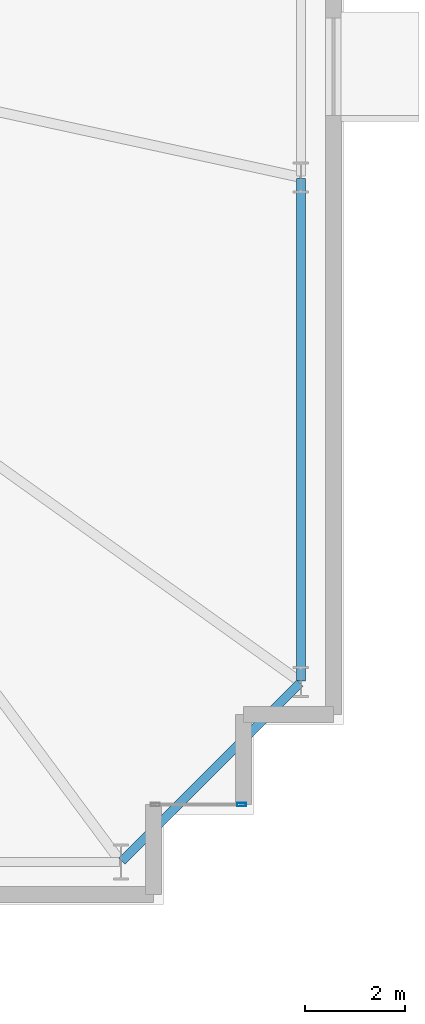
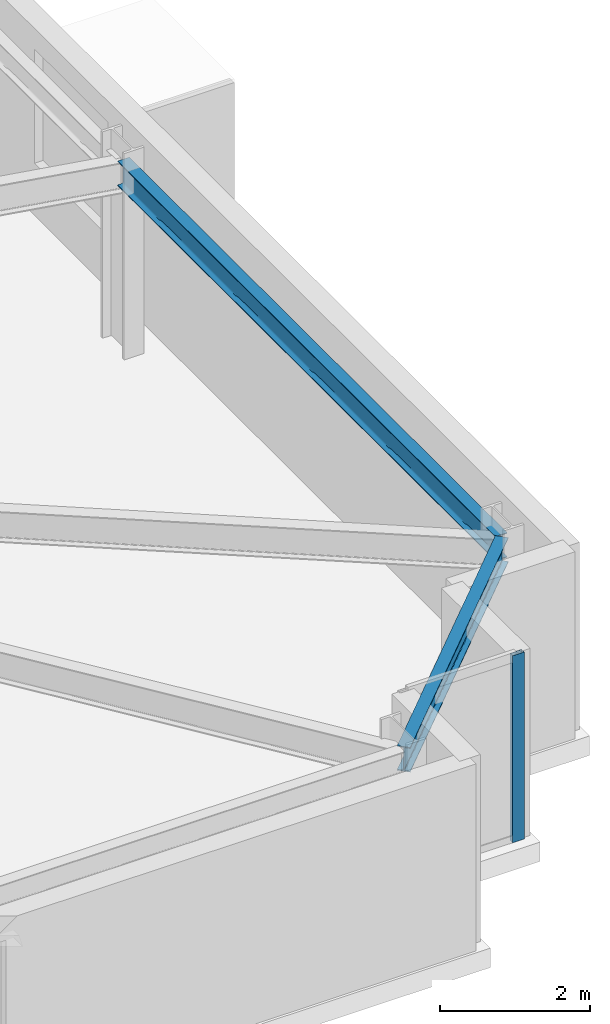
# One storey, part 10 of 21: 2 beams, 1 member, 1 element without a shape of its own.
"""IFC4 building model written with IfcOpenShell, lengths in metres."""

from ifc_helpers import new_model, si_unit, direction, frame, origin, origin_2d, place, context, subcontext, project, spatial, hollow_rectangle, i_section, extrude, material, layer, layer_set, material_profile, profile_set, type_object, element, aggregate, save


model = new_model("IFC4")

# Units and contexts
model_context = context("Model", 3, precision=1e-05, world=origin(), true_north=direction((0.0, 1.0)))
body_context = subcontext(model_context, "Body", "Model", "MODEL_VIEW")
ifc_project = project(units=[si_unit("LENGTHUNIT", "METRE"), si_unit("AREAUNIT", "SQUARE_METRE"), si_unit("VOLUMEUNIT", "CUBIC_METRE"), si_unit("PLANEANGLEUNIT", "RADIAN"), si_unit("MASSUNIT", "GRAM", prefix="KILO")], contexts=[model_context])

# Site, building, storey
site_placement = place(None, origin())
site = spatial("IfcSite", under=ifc_project, at=site_placement, CompositionType="ELEMENT")
building_placement = place(site_placement, origin())
building = spatial("IfcBuilding", under=site, at=building_placement, Name="Qobustan Lattice House", CompositionType="ELEMENT")
storey_placement = place(building_placement, frame((0.0, 0.0, 57.14990234375)))
storey = spatial("IfcBuildingStorey", under=building, at=storey_placement, Name="L15", CompositionType="ELEMENT", Elevation=57.14990234375)

# Beams
ifc_material_1 = material(Name="Steel S355", Category="steel")
ifc_material_profile_1 = material_profile(ifc_material_1, i_section(OverallWidth=0.179931640625, OverallDepth=0.39990234375, WebThickness=0.008544921875, FlangeThickness=0.013427734375, FilletRadius=0.02099609375, at=origin_2d()), Name="IPE400")
ifc_profile_set_1 = profile_set([ifc_material_profile_1], Name="Steel S355")
beam_type = type_object("IfcBeamType", Name="BM-SPD-IPE400", PredefinedType="SPANDREL", material=ifc_profile_set_1)
beam_1_placement = place(storey_placement, frame((28.567626953125, -18.732421875, 2.835205078125), z_axis=(0.707106781187, 0.707106781187, 0.0), x_axis=(-0.707106781187, 0.707106781187, 0.0)))
element("IfcBeam", 1, at=beam_1_placement, inside=storey, type_object=beam_type, Name="L15 perimeter spandrel S7-E1", PredefinedType="SPANDREL", context=body_context, shape_type="SweptSolid", body=[
    extrude(i_section(OverallWidth=0.179931640625, OverallDepth=0.39990234375, WebThickness=0.008544921875, FlangeThickness=0.013427734375, FilletRadius=0.02099609375, at=origin_2d()), origin(), (0.0, 0.0, 1.0), 5.041259765625),
])
beam_2_placement = place(storey_placement, frame((32.14990234375, -15.125, 2.835205078125), z_axis=(0.0, 1.0, 0.0), x_axis=(-1.0, 0.0, 0.0)))
element("IfcBeam", 2, at=beam_2_placement, inside=storey, type_object=beam_type, Name="L15 perimeter spandrel E1-E2", PredefinedType="SPANDREL", context=body_context, shape_type="SweptSolid", body=[
    extrude(i_section(OverallWidth=0.179931640625, OverallDepth=0.39990234375, WebThickness=0.008544921875, FlangeThickness=0.013427734375, FilletRadius=0.02099609375, at=origin_2d()), origin(), (0.0, 0.0, 1.0), 10.050048828125),
])

# Curtain wall, member
ifc_material_2 = material(Name="Anodised aluminium and low-E glazing", Category="aluminium")
ifc_layer = layer(ifc_material_2, 0.219970703125)
ifc_layer_set = layer_set([ifc_layer], Name="Anodised aluminium and low-E glazing")
curtain_wall_type = type_object("IfcCurtainWallType", Name="CW-FAC-01", PredefinedType="USERDEFINED", material=ifc_layer_set)
curtain_wall_placement = place(storey_placement, origin())
curtain_wall = element("IfcCurtainWall", 3, at=curtain_wall_placement, inside=storey, type_object=curtain_wall_type, Name="L15 serrated corner faceted glazing 18", ObjectType="CURTAIN WALL", PredefinedType="USERDEFINED")
ifc_material_3 = material(Name="Anodised aluminium EN AW-6063 T6", Category="aluminium")
ifc_material_profile_2 = material_profile(ifc_material_3, hollow_rectangle(XDim=0.070068359375, YDim=0.179931640625, WallThickness=0.00439453125, at=origin_2d()), Name="CWM-180x70")
ifc_profile_set_2 = profile_set([ifc_material_profile_2], Name="Anodised aluminium EN AW-6063 T6")
member_type = type_object("IfcMemberType", Name="CWM-STD-180", PredefinedType="MULLION", material=ifc_profile_set_2)
member_placement = place(storey_placement, frame((30.965087890625, -17.60009765625, 0.0), z_axis=(0.0, 0.0, 1.0), x_axis=(0.0, -1.0, 0.0)))
member = element("IfcMember", 4, at=member_placement, type_object=member_type, Name="CW-F1 mullion 1", PredefinedType="MULLION", context=body_context, shape_type="SweptSolid", body=[
    extrude(hollow_rectangle(XDim=0.070068359375, YDim=0.179931640625, WallThickness=0.00439453125, at=origin_2d()), origin(), (0.0, 0.0, 1.0), 3.03515625),
])
aggregate(curtain_wall, [member])

save(model, "model.ifc")
